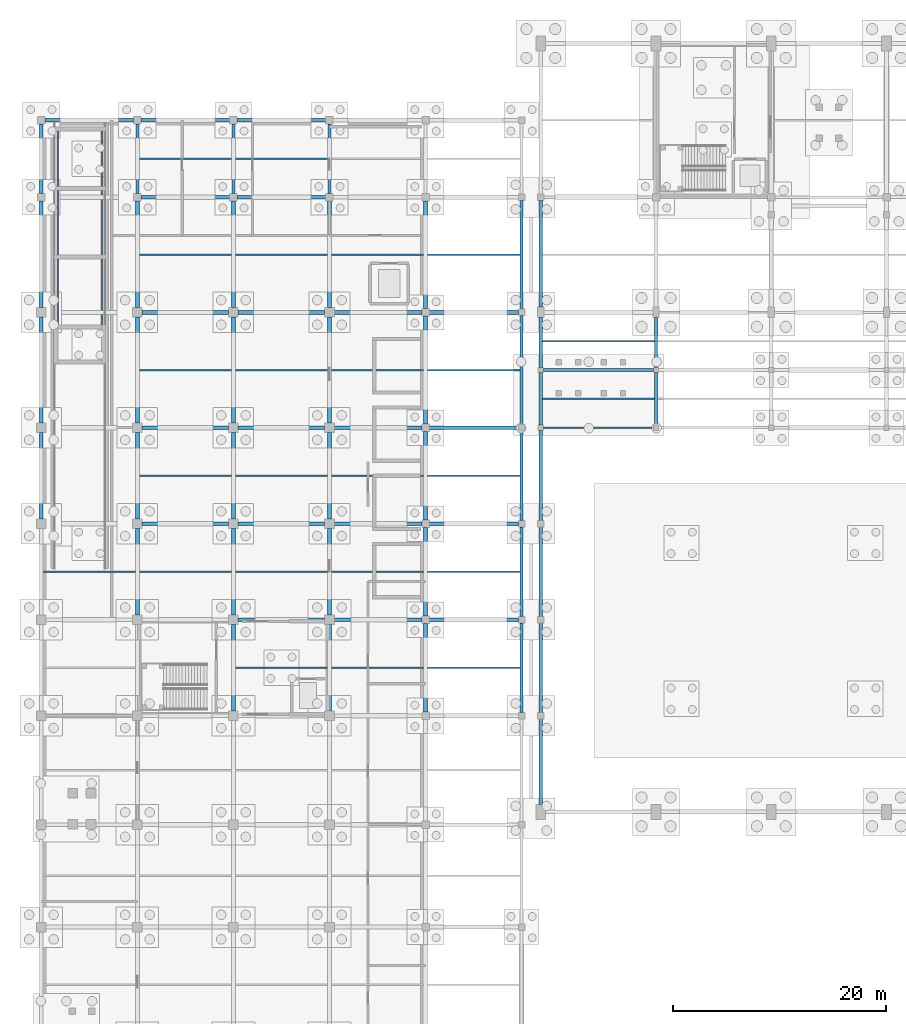
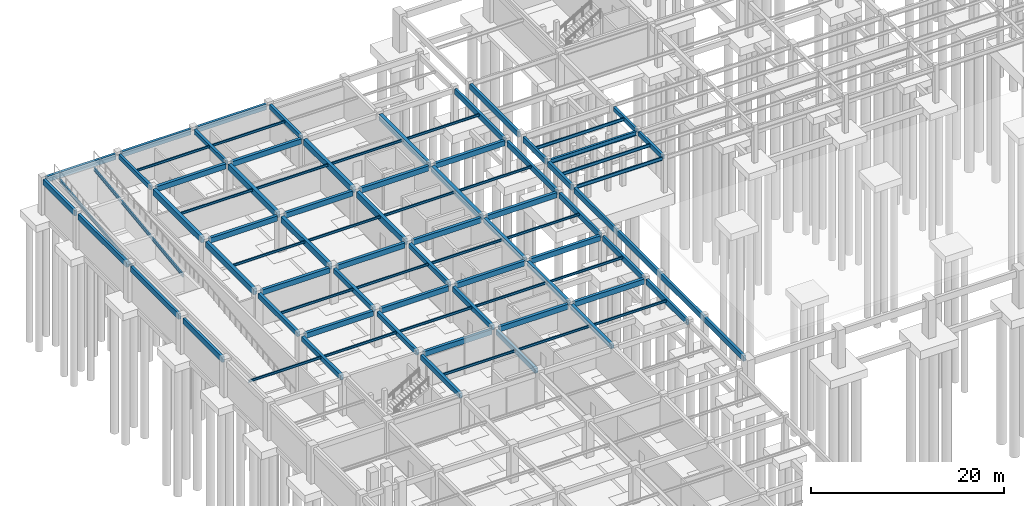
# One storey, part 16 of 33: 85 beams.
"""IFC4 building model written with IfcOpenShell, lengths in metres."""

from ifc_helpers import new_model, si_unit, direction, frame, origin, origin_2d, place, context, subcontext, project, spatial, rectangle, i_section, extrude, material, material_profile, profile_set, type_object, element, save


model = new_model("IFC4")

# Units and contexts
model_context = context("Model", 3, precision=1e-05, world=origin(), true_north=direction((0.0, 1.0)))
body_context = subcontext(model_context, "Body", "Model", "MODEL_VIEW")
ifc_project = project(units=[si_unit("LENGTHUNIT", "METRE"), si_unit("AREAUNIT", "SQUARE_METRE"), si_unit("VOLUMEUNIT", "CUBIC_METRE"), si_unit("PLANEANGLEUNIT", "RADIAN"), si_unit("MASSUNIT", "GRAM", prefix="KILO")], contexts=[model_context])

# Site, building, storey
site_placement = place(None, origin())
site = spatial("IfcSite", under=ifc_project, at=site_placement, CompositionType="ELEMENT")
building_placement = place(site_placement, origin())
building = spatial("IfcBuilding", under=site, at=building_placement, Name="Suirenkawa Promenade Aquatics Centre", CompositionType="ELEMENT")
storey_placement = place(building_placement, frame((0.0, 0.0, -4.800048828125)))
storey = spatial("IfcBuildingStorey", under=building, at=storey_placement, Name="B1", CompositionType="ELEMENT", Elevation=-4.800048828125)

# Beams
ifc_material_1 = material(Name="Steel IS 2062 E350 (Grade 350)", Category="steel")
ifc_material_profile_1 = material_profile(ifc_material_1, i_section(OverallWidth=0.139892578125, OverallDepth=0.300048828125, WebThickness=0.008056640625, FlangeThickness=0.012939453125, at=origin_2d()), Name="ISMB 300", Category="steel")
ifc_profile_set_1 = profile_set([ifc_material_profile_1], Name="Steel IS 2062 E350 (Grade 350)")
beam_type_1 = type_object("IfcBeamType", Name="BT-JOIST-ISMB300", PredefinedType="JOIST", material=ifc_profile_set_1)
beam_1_placement = place(storey_placement, frame((0.14404296875, 72.89990234375, 4.34814453125), z_axis=(1.0, 0.0, 0.0), x_axis=(0.0, 1.0, 0.0)))
element("IfcBeam", 1, at=beam_1_placement, inside=storey, type_object=beam_type_1, Name="Secondary floor joist JS-02 BM-0152", PredefinedType="JOIST", context=body_context, shape_type="SweptSolid", body=[
    extrude(i_section(OverallWidth=0.139892578125, OverallDepth=0.300048828125, WebThickness=0.008056640625, FlangeThickness=0.012939453125, at=origin_2d()), origin(), (0.0, 0.0, 1.0), 8.68701171875),
])
for number, where, z_axis, x_axis, name in (
    (2, (9.1689453125, 72.89990234375, 4.34814453125), (1.0, 0.0, 0.0), (0.0, 1.0, 0.0), "Secondary floor joist JS-02 BM-0158"),
    (3, (9.1689453125, 81.89990234375, 4.34814453125), (1.0, 0.0, 0.0), (0.0, 1.0, 0.0), "Secondary floor joist JS-02 BM-0159"),
):
    element("IfcBeam", number, at=place(storey_placement, frame(where, z_axis=z_axis, x_axis=x_axis)), inside=storey, type_object=beam_type_1, Name=name, PredefinedType="JOIST", context=body_context, shape_type="SweptSolid", body=[
        extrude(i_section(OverallWidth=0.139892578125, OverallDepth=0.300048828125, WebThickness=0.008056640625, FlangeThickness=0.012939453125, at=origin_2d()), origin(), (0.0, 0.0, 1.0), 8.662109375),
    ])
for number, where, z_axis, x_axis, name in (
    (4, (9.194091796875, 91.800048828125, 4.34814453125), (1.0, 0.0, 0.0), (0.0, 1.0, 0.0), "Secondary floor joist JS-02 BM-0160"),
    (5, (9.194091796875, 102.60009765625, 4.34814453125), (1.0, 0.0, 0.0), (0.0, 1.0, 0.0), "Secondary floor joist JS-02 BM-0161"),
):
    element("IfcBeam", number, at=place(storey_placement, frame(where, z_axis=z_axis, x_axis=x_axis)), inside=storey, type_object=beam_type_1, Name=name, PredefinedType="JOIST", context=body_context, shape_type="SweptSolid", body=[
        extrude(i_section(OverallWidth=0.139892578125, OverallDepth=0.300048828125, WebThickness=0.008056640625, FlangeThickness=0.012939453125, at=origin_2d()), origin(), (0.0, 0.0, 1.0), 8.61181640625),
    ])
beam_2_placement = place(storey_placement, frame((9.14404296875, 111.60009765625, 4.34814453125), z_axis=(1.0, 0.0, 0.0), x_axis=(0.0, 1.0, 0.0)))
element("IfcBeam", 6, at=beam_2_placement, inside=storey, type_object=beam_type_1, Name="Secondary floor joist JS-02 BM-0162", PredefinedType="JOIST", context=body_context, shape_type="SweptSolid", body=[
    extrude(i_section(OverallWidth=0.139892578125, OverallDepth=0.300048828125, WebThickness=0.008056640625, FlangeThickness=0.012939453125, at=origin_2d()), origin(), (0.0, 0.0, 1.0), 8.7119140625),
])
for number, where, z_axis, x_axis, name in (
    (7, (18.1689453125, 63.89990234375, 4.34814453125), (1.0, 0.0, 0.0), (0.0, 1.0, 0.0), "Secondary floor joist JS-02 BM-0169"),
    (8, (18.1689453125, 72.89990234375, 4.34814453125), (1.0, 0.0, 0.0), (0.0, 1.0, 0.0), "Secondary floor joist JS-02 BM-0170"),
    (9, (18.1689453125, 81.89990234375, 4.34814453125), (1.0, 0.0, 0.0), (0.0, 1.0, 0.0), "Secondary floor joist JS-02 BM-0171"),
):
    element("IfcBeam", number, at=place(storey_placement, frame(where, z_axis=z_axis, x_axis=x_axis)), inside=storey, type_object=beam_type_1, Name=name, PredefinedType="JOIST", context=body_context, shape_type="SweptSolid", body=[
        extrude(i_section(OverallWidth=0.139892578125, OverallDepth=0.300048828125, WebThickness=0.008056640625, FlangeThickness=0.012939453125, at=origin_2d()), origin(), (0.0, 0.0, 1.0), 8.662109375),
    ])
for number, where, z_axis, x_axis, name in (
    (10, (18.194091796875, 91.800048828125, 4.34814453125), (1.0, 0.0, 0.0), (0.0, 1.0, 0.0), "Secondary floor joist JS-02 BM-0172"),
    (11, (18.194091796875, 102.60009765625, 4.34814453125), (1.0, 0.0, 0.0), (0.0, 1.0, 0.0), "Secondary floor joist JS-02 BM-0173"),
):
    element("IfcBeam", number, at=place(storey_placement, frame(where, z_axis=z_axis, x_axis=x_axis)), inside=storey, type_object=beam_type_1, Name=name, PredefinedType="JOIST", context=body_context, shape_type="SweptSolid", body=[
        extrude(i_section(OverallWidth=0.139892578125, OverallDepth=0.300048828125, WebThickness=0.008056640625, FlangeThickness=0.012939453125, at=origin_2d()), origin(), (0.0, 0.0, 1.0), 8.61181640625),
    ])
beam_3_placement = place(storey_placement, frame((18.14404296875, 111.60009765625, 4.34814453125), z_axis=(1.0, 0.0, 0.0), x_axis=(0.0, 1.0, 0.0)))
element("IfcBeam", 12, at=beam_3_placement, inside=storey, type_object=beam_type_1, Name="Secondary floor joist JS-02 BM-0174", PredefinedType="JOIST", context=body_context, shape_type="SweptSolid", body=[
    extrude(i_section(OverallWidth=0.139892578125, OverallDepth=0.300048828125, WebThickness=0.008056640625, FlangeThickness=0.012939453125, at=origin_2d()), origin(), (0.0, 0.0, 1.0), 8.7119140625),
])
for number, where, z_axis, x_axis, name in (
    (13, (27.1689453125, 63.89990234375, 4.34814453125), (1.0, 0.0, 0.0), (0.0, 1.0, 0.0), "Secondary floor joist JS-02 BM-0181"),
    (14, (27.1689453125, 72.89990234375, 4.34814453125), (1.0, 0.0, 0.0), (0.0, 1.0, 0.0), "Secondary floor joist JS-02 BM-0182"),
    (15, (27.1689453125, 81.89990234375, 4.34814453125), (1.0, 0.0, 0.0), (0.0, 1.0, 0.0), "Secondary floor joist JS-02 BM-0183"),
):
    element("IfcBeam", number, at=place(storey_placement, frame(where, z_axis=z_axis, x_axis=x_axis)), inside=storey, type_object=beam_type_1, Name=name, PredefinedType="JOIST", context=body_context, shape_type="SweptSolid", body=[
        extrude(i_section(OverallWidth=0.139892578125, OverallDepth=0.300048828125, WebThickness=0.008056640625, FlangeThickness=0.012939453125, at=origin_2d()), origin(), (0.0, 0.0, 1.0), 8.662109375),
    ])
for number, where, z_axis, x_axis, name in (
    (16, (27.194091796875, 91.800048828125, 4.34814453125), (1.0, 0.0, 0.0), (0.0, 1.0, 0.0), "Secondary floor joist JS-02 BM-0184"),
    (17, (27.194091796875, 102.60009765625, 4.34814453125), (1.0, 0.0, 0.0), (0.0, 1.0, 0.0), "Secondary floor joist JS-02 BM-0185"),
):
    element("IfcBeam", number, at=place(storey_placement, frame(where, z_axis=z_axis, x_axis=x_axis)), inside=storey, type_object=beam_type_1, Name=name, PredefinedType="JOIST", context=body_context, shape_type="SweptSolid", body=[
        extrude(i_section(OverallWidth=0.139892578125, OverallDepth=0.300048828125, WebThickness=0.008056640625, FlangeThickness=0.012939453125, at=origin_2d()), origin(), (0.0, 0.0, 1.0), 8.61181640625),
    ])
for number, where, z_axis, x_axis, name in (
    (18, (36.1689453125, 63.89990234375, 4.34814453125), (1.0, 0.0, 0.0), (0.0, 1.0, 0.0), "Secondary floor joist JS-02 BM-0193"),
    (19, (36.1689453125, 72.89990234375, 4.34814453125), (1.0, 0.0, 0.0), (0.0, 1.0, 0.0), "Secondary floor joist JS-02 BM-0194"),
    (20, (36.1689453125, 81.89990234375, 4.34814453125), (1.0, 0.0, 0.0), (0.0, 1.0, 0.0), "Secondary floor joist JS-02 BM-0195"),
):
    element("IfcBeam", number, at=place(storey_placement, frame(where, z_axis=z_axis, x_axis=x_axis)), inside=storey, type_object=beam_type_1, Name=name, PredefinedType="JOIST", context=body_context, shape_type="SweptSolid", body=[
        extrude(i_section(OverallWidth=0.139892578125, OverallDepth=0.300048828125, WebThickness=0.008056640625, FlangeThickness=0.012939453125, at=origin_2d()), origin(), (0.0, 0.0, 1.0), 8.68701171875),
    ])
for number, where, z_axis, x_axis, name in (
    (21, (36.194091796875, 91.800048828125, 4.34814453125), (1.0, 0.0, 0.0), (0.0, 1.0, 0.0), "Secondary floor joist JS-02 BM-0196"),
    (22, (36.194091796875, 102.60009765625, 4.34814453125), (1.0, 0.0, 0.0), (0.0, 1.0, 0.0), "Secondary floor joist JS-02 BM-0197"),
):
    element("IfcBeam", number, at=place(storey_placement, frame(where, z_axis=z_axis, x_axis=x_axis)), inside=storey, type_object=beam_type_1, Name=name, PredefinedType="JOIST", context=body_context, shape_type="SweptSolid", body=[
        extrude(i_section(OverallWidth=0.139892578125, OverallDepth=0.300048828125, WebThickness=0.008056640625, FlangeThickness=0.012939453125, at=origin_2d()), origin(), (0.0, 0.0, 1.0), 8.661865234375),
    ])
ifc_material_profile_2 = material_profile(ifc_material_1, i_section(OverallWidth=0.139892578125, OverallDepth=0.39990234375, WebThickness=0.009033203125, FlangeThickness=0.01611328125, at=origin_2d()), Name="ISMB 400", Category="steel")
ifc_profile_set_2 = profile_set([ifc_material_profile_2], Name="Steel IS 2062 E350 (Grade 350)")
beam_type_2 = type_object("IfcBeamType", Name="BT-JOIST-ISMB400", PredefinedType="JOIST", material=ifc_profile_set_2)
for number, where, z_axis, x_axis, name in (
    (23, (46.944091796875, 89.10009765625, 4.298095703125), (1.0, 0.0, 0.0), (0.0, 1.0, 0.0), "Secondary floor joist JS-04 BM-1016"),
    (24, (46.944091796875, 94.5, 4.298095703125), (1.0, 0.0, 0.0), (0.0, 1.0, 0.0), "Secondary floor joist JS-04 BM-1017"),
):
    element("IfcBeam", number, at=place(storey_placement, frame(where, z_axis=z_axis, x_axis=x_axis)), inside=storey, type_object=beam_type_2, Name=name, PredefinedType="JOIST", context=body_context, shape_type="SweptSolid", body=[
        extrude(i_section(OverallWidth=0.139892578125, OverallDepth=0.39990234375, WebThickness=0.009033203125, FlangeThickness=0.01611328125, at=origin_2d()), origin(), (0.0, 0.0, 1.0), 10.511962890625),
    ])
ifc_material_2 = material(Name="Concrete M35", Category="concrete")
ifc_material_profile_3 = material_profile(ifc_material_2, rectangle(XDim=0.300048828125, YDim=0.550048828125, at=origin_2d()), Name="RC BM 300x550", Category="concrete")
ifc_profile_set_3 = profile_set([ifc_material_profile_3], Name="Concrete M35")
beam_type_3 = type_object("IfcBeamType", Name="BT-RC-300x550", PredefinedType="BEAM", material=ifc_profile_set_3)
for number, where, z_axis, x_axis, name in (
    (25, (9.0, 108.343994140625, 4.22509765625), (0.0, 1.0, 0.0), (-1.0, 0.0, 0.0), "Floor beam BM-01 BM-0092"),
    (26, (18.0, 108.343994140625, 4.22509765625), (0.0, 1.0, 0.0), (-1.0, 0.0, 0.0), "Floor beam BM-01 BM-0105"),
    (27, (27.0, 108.343994140625, 4.22509765625), (0.0, 1.0, 0.0), (-1.0, 0.0, 0.0), "Floor beam BM-01 BM-0118"),
):
    element("IfcBeam", number, at=place(storey_placement, frame(where, z_axis=z_axis, x_axis=x_axis)), inside=storey, type_object=beam_type_3, Name=name, PredefinedType="BEAM", context=body_context, shape_type="SweptSolid", body=[
        extrude(rectangle(XDim=0.300048828125, YDim=0.550048828125, at=origin_2d()), origin(), (0.0, 0.0, 1.0), 6.511962890625),
    ])
beam_4_placement = place(storey_placement, frame((57.60009765625, 86.64404296875, 4.22509765625), z_axis=(0.0, 1.0, 0.0), x_axis=(-1.0, 0.0, 0.0)))
element("IfcBeam", 28, at=beam_4_placement, inside=storey, type_object=beam_type_3, Name="Floor beam BM-01 BM-0973", PredefinedType="BEAM", context=body_context, shape_type="SweptSolid", body=[
    extrude(rectangle(XDim=0.300048828125, YDim=0.550048828125, at=origin_2d()), origin(), (0.0, 0.0, 1.0), 4.911865234375),
])
beam_5_placement = place(storey_placement, frame((57.60009765625, 92.0439453125, 4.22509765625), z_axis=(0.0, 1.0, 0.0), x_axis=(-1.0, 0.0, 0.0)))
element("IfcBeam", 29, at=beam_5_placement, inside=storey, type_object=beam_type_3, Name="Floor beam BM-01 BM-0974", PredefinedType="BEAM", context=body_context, shape_type="SweptSolid", body=[
    extrude(rectangle(XDim=0.300048828125, YDim=0.550048828125, at=origin_2d()), origin(), (0.0, 0.0, 1.0), 4.662109375),
])
ifc_material_profile_4 = material_profile(ifc_material_2, rectangle(XDim=0.35009765625, YDim=0.60009765625, at=origin_2d()), Name="RC BM 350x600", Category="concrete")
ifc_profile_set_4 = profile_set([ifc_material_profile_4], Name="Concrete M35")
beam_type_4 = type_object("IfcBeamType", Name="BT-RC-350x600", PredefinedType="BEAM", material=ifc_profile_set_4)
for number, where, z_axis, x_axis, name in (
    (30, (9.0, 68.843994140625, 4.199951171875), (0.0, 1.0, 0.0), (-1.0, 0.0, 0.0), "Floor beam BM-02 BM-0088"),
    (31, (9.0, 77.843994140625, 4.199951171875), (0.0, 1.0, 0.0), (-1.0, 0.0, 0.0), "Floor beam BM-02 BM-0089"),
    (32, (18.0, 59.843994140625, 4.199951171875), (0.0, 1.0, 0.0), (-1.0, 0.0, 0.0), "Floor beam BM-02 BM-0100"),
    (33, (18.0, 68.843994140625, 4.199951171875), (0.0, 1.0, 0.0), (-1.0, 0.0, 0.0), "Floor beam BM-02 BM-0101"),
    (34, (18.0, 77.843994140625, 4.199951171875), (0.0, 1.0, 0.0), (-1.0, 0.0, 0.0), "Floor beam BM-02 BM-0102"),
    (35, (27.0, 59.843994140625, 4.199951171875), (0.0, 1.0, 0.0), (-1.0, 0.0, 0.0), "Floor beam BM-02 BM-0113"),
    (36, (27.0, 68.843994140625, 4.199951171875), (0.0, 1.0, 0.0), (-1.0, 0.0, 0.0), "Floor beam BM-02 BM-0114"),
    (37, (27.0, 77.843994140625, 4.199951171875), (0.0, 1.0, 0.0), (-1.0, 0.0, 0.0), "Floor beam BM-02 BM-0115"),
):
    element("IfcBeam", number, at=place(storey_placement, frame(where, z_axis=z_axis, x_axis=x_axis)), inside=storey, type_object=beam_type_4, Name=name, PredefinedType="BEAM", context=body_context, shape_type="SweptSolid", body=[
        extrude(rectangle(XDim=0.35009765625, YDim=0.60009765625, at=origin_2d()), origin(), (0.0, 0.0, 1.0), 8.112060546875),
    ])
for number, where, z_axis, x_axis, name in (
    (38, (36.0, 59.743896484375, 4.199951171875), (0.0, 1.0, 0.0), (-1.0, 0.0, 0.0), "Floor beam BM-02 BM-0126"),
    (39, (36.0, 68.743896484375, 4.199951171875), (0.0, 1.0, 0.0), (-1.0, 0.0, 0.0), "Floor beam BM-02 BM-0127"),
    (40, (36.0, 77.743896484375, 4.199951171875), (0.0, 1.0, 0.0), (-1.0, 0.0, 0.0), "Floor beam BM-02 BM-0128"),
):
    element("IfcBeam", number, at=place(storey_placement, frame(where, z_axis=z_axis, x_axis=x_axis)), inside=storey, type_object=beam_type_4, Name=name, PredefinedType="BEAM", context=body_context, shape_type="SweptSolid", body=[
        extrude(rectangle(XDim=0.35009765625, YDim=0.60009765625, at=origin_2d()), origin(), (0.0, 0.0, 1.0), 8.31201171875),
    ])
ifc_material_profile_5 = material_profile(ifc_material_2, rectangle(XDim=0.35009765625, YDim=0.64990234375, at=origin_2d()), Name="RC BM 350x650", Category="concrete")
ifc_profile_set_5 = profile_set([ifc_material_profile_5], Name="Concrete M35")
beam_type_5 = type_object("IfcBeamType", Name="BT-RC-350x650", PredefinedType="BEAM", material=ifc_profile_set_5)
beam_6_placement = place(storey_placement, frame((18.444091796875, 68.39990234375, 4.175048828125), z_axis=(1.0, 0.0, 0.0), x_axis=(0.0, 1.0, 0.0)))
element("IfcBeam", 41, at=beam_6_placement, inside=storey, type_object=beam_type_5, Name="Floor beam BM-03 BM-0043", PredefinedType="BEAM", context=body_context, shape_type="SweptSolid", body=[
    extrude(rectangle(XDim=0.35009765625, YDim=0.64990234375, at=origin_2d()), origin(), (0.0, 0.0, 1.0), 8.11181640625),
])
beam_7_placement = place(storey_placement, frame((27.444091796875, 68.39990234375, 4.175048828125), z_axis=(1.0, 0.0, 0.0), x_axis=(0.0, 1.0, 0.0)))
element("IfcBeam", 42, at=beam_7_placement, inside=storey, type_object=beam_type_5, Name="Floor beam BM-03 BM-0044", PredefinedType="BEAM", context=body_context, shape_type="SweptSolid", body=[
    extrude(rectangle(XDim=0.35009765625, YDim=0.64990234375, at=origin_2d()), origin(), (0.0, 0.0, 1.0), 8.2119140625),
])
beam_8_placement = place(storey_placement, frame((36.343994140625, 68.39990234375, 4.175048828125), z_axis=(1.0, 0.0, 0.0), x_axis=(0.0, 1.0, 0.0)))
element("IfcBeam", 43, at=beam_8_placement, inside=storey, type_object=beam_type_5, Name="Floor beam BM-03 BM-0045", PredefinedType="BEAM", context=body_context, shape_type="SweptSolid", body=[
    extrude(rectangle(XDim=0.35009765625, YDim=0.64990234375, at=origin_2d()), origin(), (0.0, 0.0, 1.0), 8.362060546875),
])
for number, where, z_axis, x_axis, name in (
    (44, (9.444091796875, 77.39990234375, 4.175048828125), (1.0, 0.0, 0.0), (0.0, 1.0, 0.0), "Floor beam BM-03 BM-0046"),
    (45, (18.444091796875, 77.39990234375, 4.175048828125), (1.0, 0.0, 0.0), (0.0, 1.0, 0.0), "Floor beam BM-03 BM-0047"),
):
    element("IfcBeam", number, at=place(storey_placement, frame(where, z_axis=z_axis, x_axis=x_axis)), inside=storey, type_object=beam_type_5, Name=name, PredefinedType="BEAM", context=body_context, shape_type="SweptSolid", body=[
        extrude(rectangle(XDim=0.35009765625, YDim=0.64990234375, at=origin_2d()), origin(), (0.0, 0.0, 1.0), 8.11181640625),
    ])
beam_9_placement = place(storey_placement, frame((27.444091796875, 77.39990234375, 4.175048828125), z_axis=(1.0, 0.0, 0.0), x_axis=(0.0, 1.0, 0.0)))
element("IfcBeam", 46, at=beam_9_placement, inside=storey, type_object=beam_type_5, Name="Floor beam BM-03 BM-0048", PredefinedType="BEAM", context=body_context, shape_type="SweptSolid", body=[
    extrude(rectangle(XDim=0.35009765625, YDim=0.64990234375, at=origin_2d()), origin(), (0.0, 0.0, 1.0), 8.2119140625),
])
beam_10_placement = place(storey_placement, frame((36.343994140625, 77.39990234375, 4.175048828125), z_axis=(1.0, 0.0, 0.0), x_axis=(0.0, 1.0, 0.0)))
element("IfcBeam", 47, at=beam_10_placement, inside=storey, type_object=beam_type_5, Name="Floor beam BM-03 BM-0049", PredefinedType="BEAM", context=body_context, shape_type="SweptSolid", body=[
    extrude(rectangle(XDim=0.35009765625, YDim=0.64990234375, at=origin_2d()), origin(), (0.0, 0.0, 1.0), 8.362060546875),
])
for number, where, z_axis, x_axis, name in (
    (48, (9.444091796875, 86.39990234375, 4.175048828125), (1.0, 0.0, 0.0), (0.0, 1.0, 0.0), "Floor beam BM-03 BM-0050"),
    (49, (18.444091796875, 86.39990234375, 4.175048828125), (1.0, 0.0, 0.0), (0.0, 1.0, 0.0), "Floor beam BM-03 BM-0051"),
):
    element("IfcBeam", number, at=place(storey_placement, frame(where, z_axis=z_axis, x_axis=x_axis)), inside=storey, type_object=beam_type_5, Name=name, PredefinedType="BEAM", context=body_context, shape_type="SweptSolid", body=[
        extrude(rectangle(XDim=0.35009765625, YDim=0.64990234375, at=origin_2d()), origin(), (0.0, 0.0, 1.0), 8.11181640625),
    ])
beam_11_placement = place(storey_placement, frame((27.444091796875, 86.39990234375, 4.175048828125), z_axis=(1.0, 0.0, 0.0), x_axis=(0.0, 1.0, 0.0)))
element("IfcBeam", 50, at=beam_11_placement, inside=storey, type_object=beam_type_5, Name="Floor beam BM-03 BM-0052", PredefinedType="BEAM", context=body_context, shape_type="SweptSolid", body=[
    extrude(rectangle(XDim=0.35009765625, YDim=0.64990234375, at=origin_2d()), origin(), (0.0, 0.0, 1.0), 8.2119140625),
])
beam_12_placement = place(storey_placement, frame((36.343994140625, 86.39990234375, 4.175048828125), z_axis=(1.0, 0.0, 0.0), x_axis=(0.0, 1.0, 0.0)))
element("IfcBeam", 51, at=beam_12_placement, inside=storey, type_object=beam_type_5, Name="Floor beam BM-03 BM-0053", PredefinedType="BEAM", context=body_context, shape_type="SweptSolid", body=[
    extrude(rectangle(XDim=0.35009765625, YDim=0.64990234375, at=origin_2d()), origin(), (0.0, 0.0, 1.0), 8.362060546875),
])
for number, where, z_axis, x_axis, name in (
    (52, (9.444091796875, 97.199951171875, 4.175048828125), (1.0, 0.0, 0.0), (0.0, 1.0, 0.0), "Floor beam BM-03 BM-0054"),
    (53, (18.444091796875, 97.199951171875, 4.175048828125), (1.0, 0.0, 0.0), (0.0, 1.0, 0.0), "Floor beam BM-03 BM-0055"),
):
    element("IfcBeam", number, at=place(storey_placement, frame(where, z_axis=z_axis, x_axis=x_axis)), inside=storey, type_object=beam_type_5, Name=name, PredefinedType="BEAM", context=body_context, shape_type="SweptSolid", body=[
        extrude(rectangle(XDim=0.35009765625, YDim=0.64990234375, at=origin_2d()), origin(), (0.0, 0.0, 1.0), 8.11181640625),
    ])
beam_13_placement = place(storey_placement, frame((27.444091796875, 97.199951171875, 4.175048828125), z_axis=(1.0, 0.0, 0.0), x_axis=(0.0, 1.0, 0.0)))
element("IfcBeam", 54, at=beam_13_placement, inside=storey, type_object=beam_type_5, Name="Floor beam BM-03 BM-0056", PredefinedType="BEAM", context=body_context, shape_type="SweptSolid", body=[
    extrude(rectangle(XDim=0.35009765625, YDim=0.64990234375, at=origin_2d()), origin(), (0.0, 0.0, 1.0), 8.2119140625),
])
beam_14_placement = place(storey_placement, frame((36.343994140625, 97.199951171875, 4.175048828125), z_axis=(1.0, 0.0, 0.0), x_axis=(0.0, 1.0, 0.0)))
element("IfcBeam", 55, at=beam_14_placement, inside=storey, type_object=beam_type_5, Name="Floor beam BM-03 BM-0057", PredefinedType="BEAM", context=body_context, shape_type="SweptSolid", body=[
    extrude(rectangle(XDim=0.35009765625, YDim=0.64990234375, at=origin_2d()), origin(), (0.0, 0.0, 1.0), 8.362060546875),
])
for number, where, z_axis, x_axis, name in (
    (56, (9.343994140625, 108.0, 4.175048828125), (1.0, 0.0, 0.0), (0.0, 1.0, 0.0), "Floor beam BM-03 BM-0058"),
    (57, (18.343994140625, 108.0, 4.175048828125), (1.0, 0.0, 0.0), (0.0, 1.0, 0.0), "Floor beam BM-03 BM-0059"),
):
    element("IfcBeam", number, at=place(storey_placement, frame(where, z_axis=z_axis, x_axis=x_axis)), inside=storey, type_object=beam_type_5, Name=name, PredefinedType="BEAM", context=body_context, shape_type="SweptSolid", body=[
        extrude(rectangle(XDim=0.35009765625, YDim=0.64990234375, at=origin_2d()), origin(), (0.0, 0.0, 1.0), 8.31201171875),
    ])
ifc_material_3 = material(Name="Concrete M40", Category="concrete")
ifc_material_profile_6 = material_profile(ifc_material_3, rectangle(XDim=0.39990234375, YDim=0.75, at=origin_2d()), Name="RC BM 400x750", Category="concrete")
ifc_profile_set_6 = profile_set([ifc_material_profile_6], Name="Concrete M40")
beam_type_6 = type_object("IfcBeamType", Name="BT-RC-400x750", PredefinedType="BEAM", material=ifc_profile_set_6)
beam_15_placement = place(storey_placement, frame((9.0, 86.843994140625, 4.125), z_axis=(0.0, 1.0, 0.0), x_axis=(-1.0, 0.0, 0.0)))
element("IfcBeam", 58, at=beam_15_placement, inside=storey, type_object=beam_type_6, Name="Floor beam BM-05 BM-0090", PredefinedType="BEAM", context=body_context, shape_type="SweptSolid", body=[
    extrude(rectangle(XDim=0.39990234375, YDim=0.75, at=origin_2d()), origin(), (0.0, 0.0, 1.0), 9.912109375),
])
beam_16_placement = place(storey_placement, frame((9.0, 97.64404296875, 4.125), z_axis=(0.0, 1.0, 0.0), x_axis=(-1.0, 0.0, 0.0)))
element("IfcBeam", 59, at=beam_16_placement, inside=storey, type_object=beam_type_6, Name="Floor beam BM-05 BM-0091", PredefinedType="BEAM", context=body_context, shape_type="SweptSolid", body=[
    extrude(rectangle(XDim=0.39990234375, YDim=0.75, at=origin_2d()), origin(), (0.0, 0.0, 1.0), 10.011962890625),
])
beam_17_placement = place(storey_placement, frame((18.0, 86.843994140625, 4.125), z_axis=(0.0, 1.0, 0.0), x_axis=(-1.0, 0.0, 0.0)))
element("IfcBeam", 60, at=beam_17_placement, inside=storey, type_object=beam_type_6, Name="Floor beam BM-05 BM-0103", PredefinedType="BEAM", context=body_context, shape_type="SweptSolid", body=[
    extrude(rectangle(XDim=0.39990234375, YDim=0.75, at=origin_2d()), origin(), (0.0, 0.0, 1.0), 9.912109375),
])
beam_18_placement = place(storey_placement, frame((18.0, 97.64404296875, 4.125), z_axis=(0.0, 1.0, 0.0), x_axis=(-1.0, 0.0, 0.0)))
element("IfcBeam", 61, at=beam_18_placement, inside=storey, type_object=beam_type_6, Name="Floor beam BM-05 BM-0104", PredefinedType="BEAM", context=body_context, shape_type="SweptSolid", body=[
    extrude(rectangle(XDim=0.39990234375, YDim=0.75, at=origin_2d()), origin(), (0.0, 0.0, 1.0), 10.011962890625),
])
beam_19_placement = place(storey_placement, frame((27.0, 86.843994140625, 4.125), z_axis=(0.0, 1.0, 0.0), x_axis=(-1.0, 0.0, 0.0)))
element("IfcBeam", 62, at=beam_19_placement, inside=storey, type_object=beam_type_6, Name="Floor beam BM-05 BM-0116", PredefinedType="BEAM", context=body_context, shape_type="SweptSolid", body=[
    extrude(rectangle(XDim=0.39990234375, YDim=0.75, at=origin_2d()), origin(), (0.0, 0.0, 1.0), 9.912109375),
])
beam_20_placement = place(storey_placement, frame((27.0, 97.64404296875, 4.125), z_axis=(0.0, 1.0, 0.0), x_axis=(-1.0, 0.0, 0.0)))
element("IfcBeam", 63, at=beam_20_placement, inside=storey, type_object=beam_type_6, Name="Floor beam BM-05 BM-0117", PredefinedType="BEAM", context=body_context, shape_type="SweptSolid", body=[
    extrude(rectangle(XDim=0.39990234375, YDim=0.75, at=origin_2d()), origin(), (0.0, 0.0, 1.0), 10.011962890625),
])
for number, where, z_axis, x_axis, name in (
    (64, (36.0, 86.743896484375, 4.125), (0.0, 1.0, 0.0), (-1.0, 0.0, 0.0), "Floor beam BM-05 BM-0129"),
    (65, (36.0, 97.5439453125, 4.125), (0.0, 1.0, 0.0), (-1.0, 0.0, 0.0), "Floor beam BM-05 BM-0130"),
):
    element("IfcBeam", number, at=place(storey_placement, frame(where, z_axis=z_axis, x_axis=x_axis)), inside=storey, type_object=beam_type_6, Name=name, PredefinedType="BEAM", context=body_context, shape_type="SweptSolid", body=[
        extrude(rectangle(XDim=0.39990234375, YDim=0.75, at=origin_2d()), origin(), (0.0, 0.0, 1.0), 10.112060546875),
    ])
ifc_material_profile_7 = material_profile(ifc_material_3, rectangle(XDim=0.300048828125, YDim=0.699951171875, at=origin_2d()), Name="RC SPANDREL 300x700", Category="concrete")
ifc_profile_set_7 = profile_set([ifc_material_profile_7], Name="Concrete M40")
beam_type_7 = type_object("IfcBeamType", Name="BT-SPANDREL-300x700", PredefinedType="SPANDREL", material=ifc_profile_set_7)
for number, where, z_axis, x_axis, name in (
    (66, (0.343994140625, 115.199951171875, 4.150146484375), (1.0, 0.0, 0.0), (0.0, 1.0, 0.0), "Floor beam SP-01 BM-0062"),
    (67, (9.343994140625, 115.199951171875, 4.150146484375), (1.0, 0.0, 0.0), (0.0, 1.0, 0.0), "Floor beam SP-01 BM-0063"),
    (68, (18.343994140625, 115.199951171875, 4.150146484375), (1.0, 0.0, 0.0), (0.0, 1.0, 0.0), "Floor beam SP-01 BM-0064"),
):
    element("IfcBeam", number, at=place(storey_placement, frame(where, z_axis=z_axis, x_axis=x_axis)), inside=storey, type_object=beam_type_7, Name=name, PredefinedType="SPANDREL", context=body_context, shape_type="SweptSolid", body=[
        extrude(rectangle(XDim=0.300048828125, YDim=0.699951171875, at=origin_2d()), origin(), (0.0, 0.0, 1.0), 8.31201171875),
    ])
beam_21_placement = place(storey_placement, frame((0.0, 77.843994140625, 4.150146484375), z_axis=(0.0, 1.0, 0.0), x_axis=(-1.0, 0.0, 0.0)))
element("IfcBeam", 69, at=beam_21_placement, inside=storey, type_object=beam_type_7, Name="Floor beam SP-01 BM-0076", PredefinedType="SPANDREL", context=body_context, shape_type="SweptSolid", body=[
    extrude(rectangle(XDim=0.300048828125, YDim=0.699951171875, at=origin_2d()), origin(), (0.0, 0.0, 1.0), 8.112060546875),
])
beam_22_placement = place(storey_placement, frame((0.0, 86.843994140625, 4.150146484375), z_axis=(0.0, 1.0, 0.0), x_axis=(-1.0, 0.0, 0.0)))
element("IfcBeam", 70, at=beam_22_placement, inside=storey, type_object=beam_type_7, Name="Floor beam SP-01 BM-0077", PredefinedType="SPANDREL", context=body_context, shape_type="SweptSolid", body=[
    extrude(rectangle(XDim=0.300048828125, YDim=0.699951171875, at=origin_2d()), origin(), (0.0, 0.0, 1.0), 9.912109375),
])
beam_23_placement = place(storey_placement, frame((0.0, 97.64404296875, 4.150146484375), z_axis=(0.0, 1.0, 0.0), x_axis=(-1.0, 0.0, 0.0)))
element("IfcBeam", 71, at=beam_23_placement, inside=storey, type_object=beam_type_7, Name="Floor beam SP-01 BM-0078", PredefinedType="SPANDREL", context=body_context, shape_type="SweptSolid", body=[
    extrude(rectangle(XDim=0.300048828125, YDim=0.699951171875, at=origin_2d()), origin(), (0.0, 0.0, 1.0), 10.011962890625),
])
beam_24_placement = place(storey_placement, frame((0.0, 108.343994140625, 4.150146484375), z_axis=(0.0, 1.0, 0.0), x_axis=(-1.0, 0.0, 0.0)))
element("IfcBeam", 72, at=beam_24_placement, inside=storey, type_object=beam_type_7, Name="Floor beam SP-01 BM-0079", PredefinedType="SPANDREL", context=body_context, shape_type="SweptSolid", body=[
    extrude(rectangle(XDim=0.300048828125, YDim=0.699951171875, at=origin_2d()), origin(), (0.0, 0.0, 1.0), 6.511962890625),
])
for number, where, z_axis, x_axis, name in (
    (73, (45.0, 59.694091796875, 4.150146484375), (0.0, 1.0, 0.0), (-1.0, 0.0, 0.0), "Floor beam SP-01 BM-0139"),
    (74, (45.0, 68.694091796875, 4.150146484375), (0.0, 1.0, 0.0), (-1.0, 0.0, 0.0), "Floor beam SP-01 BM-0140"),
    (75, (45.0, 77.694091796875, 4.150146484375), (0.0, 1.0, 0.0), (-1.0, 0.0, 0.0), "Floor beam SP-01 BM-0141"),
):
    element("IfcBeam", number, at=place(storey_placement, frame(where, z_axis=z_axis, x_axis=x_axis)), inside=storey, type_object=beam_type_7, Name=name, PredefinedType="SPANDREL", context=body_context, shape_type="SweptSolid", body=[
        extrude(rectangle(XDim=0.300048828125, YDim=0.699951171875, at=origin_2d()), origin(), (0.0, 0.0, 1.0), 8.411865234375),
    ])
beam_25_placement = place(storey_placement, frame((45.0, 86.694091796875, 4.150146484375), z_axis=(0.0, 1.0, 0.0), x_axis=(-1.0, 0.0, 0.0)))
element("IfcBeam", 76, at=beam_25_placement, inside=storey, type_object=beam_type_7, Name="Floor beam SP-01 BM-0142", PredefinedType="SPANDREL", context=body_context, shape_type="SweptSolid", body=[
    extrude(rectangle(XDim=0.300048828125, YDim=0.699951171875, at=origin_2d()), origin(), (0.0, 0.0, 1.0), 10.2119140625),
])
beam_26_placement = place(storey_placement, frame((45.0, 97.493896484375, 4.150146484375), z_axis=(0.0, 1.0, 0.0), x_axis=(-1.0, 0.0, 0.0)))
element("IfcBeam", 77, at=beam_26_placement, inside=storey, type_object=beam_type_7, Name="Floor beam SP-01 BM-0143", PredefinedType="SPANDREL", context=body_context, shape_type="SweptSolid", body=[
    extrude(rectangle(XDim=0.300048828125, YDim=0.699951171875, at=origin_2d()), origin(), (0.0, 0.0, 1.0), 10.212158203125),
])
beam_27_placement = place(storey_placement, frame((46.800048828125, 51.093994140625, 4.150146484375), z_axis=(0.0, 1.0, 0.0), x_axis=(-1.0, 0.0, 0.0)))
element("IfcBeam", 78, at=beam_27_placement, inside=storey, type_object=beam_type_7, Name="Floor beam SP-01 BM-0968", PredefinedType="SPANDREL", context=body_context, shape_type="SweptSolid", body=[
    extrude(rectangle(XDim=0.300048828125, YDim=0.699951171875, at=origin_2d()), origin(), (0.0, 0.0, 1.0), 35.06201171875),
])
beam_28_placement = place(storey_placement, frame((46.800048828125, 86.64404296875, 4.150146484375), z_axis=(0.0, 1.0, 0.0), x_axis=(-1.0, 0.0, 0.0)))
element("IfcBeam", 79, at=beam_28_placement, inside=storey, type_object=beam_type_7, Name="Floor beam SP-01 BM-0969", PredefinedType="SPANDREL", context=body_context, shape_type="SweptSolid", body=[
    extrude(rectangle(XDim=0.300048828125, YDim=0.699951171875, at=origin_2d()), origin(), (0.0, 0.0, 1.0), 4.911865234375),
])
beam_29_placement = place(storey_placement, frame((46.800048828125, 92.0439453125, 4.150146484375), z_axis=(0.0, 1.0, 0.0), x_axis=(-1.0, 0.0, 0.0)))
element("IfcBeam", 80, at=beam_29_placement, inside=storey, type_object=beam_type_7, Name="Floor beam SP-01 BM-0970", PredefinedType="SPANDREL", context=body_context, shape_type="SweptSolid", body=[
    extrude(rectangle(XDim=0.300048828125, YDim=0.699951171875, at=origin_2d()), origin(), (0.0, 0.0, 1.0), 4.662109375),
])
beam_30_placement = place(storey_placement, frame((46.800048828125, 97.694091796875, 4.150146484375), z_axis=(0.0, 1.0, 0.0), x_axis=(-1.0, 0.0, 0.0)))
element("IfcBeam", 81, at=beam_30_placement, inside=storey, type_object=beam_type_7, Name="Floor beam SP-01 BM-0971", PredefinedType="SPANDREL", context=body_context, shape_type="SweptSolid", body=[
    extrude(rectangle(XDim=0.300048828125, YDim=0.699951171875, at=origin_2d()), origin(), (0.0, 0.0, 1.0), 10.011962890625),
])
ifc_material_profile_8 = material_profile(ifc_material_1, i_section(OverallWidth=0.14990234375, OverallDepth=0.449951171875, WebThickness=0.009033203125, FlangeThickness=0.01708984375, at=origin_2d()), Name="ISMB 450", Category="steel")
ifc_profile_set_8 = profile_set([ifc_material_profile_8], Name="Steel IS 2062 E350 (Grade 350)")
beam_type_8 = type_object("IfcBeamType", Name="BT-STL-ISMB450", PredefinedType="BEAM", material=ifc_profile_set_8)
beam_31_placement = place(storey_placement, frame((47.0439453125, 86.39990234375, 4.275146484375), z_axis=(1.0, 0.0, 0.0), x_axis=(0.0, 1.0, 0.0)))
element("IfcBeam", 82, at=beam_31_placement, inside=storey, type_object=beam_type_8, Name="Floor beam BM-08 BM-0918", PredefinedType="BEAM", context=body_context, shape_type="SweptSolid", body=[
    extrude(i_section(OverallWidth=0.14990234375, OverallDepth=0.449951171875, WebThickness=0.009033203125, FlangeThickness=0.01708984375, at=origin_2d()), origin(), (0.0, 0.0, 1.0), 10.31201171875),
])
for number, where, z_axis, x_axis, name in (
    (83, (1.550048828125, 95.85009765625, 1.8349609375), (0.0, 0.992269033843, 0.124105457076), (-1.0, 0.0, 0.0), "Vehicle ramp raker beam BM-08 1"),
    (84, (5.64990234375, 95.85009765625, 1.8349609375), (0.0, 0.992269033843, 0.124105457076), (-1.0, 0.0, 0.0), "Vehicle ramp raker beam BM-08 2"),
):
    element("IfcBeam", number, at=place(storey_placement, frame(where, z_axis=z_axis, x_axis=x_axis)), inside=storey, type_object=beam_type_8, Name=name, PredefinedType="BEAM", context=body_context, shape_type="SweptSolid", body=[
        extrude(i_section(OverallWidth=0.14990234375, OverallDepth=0.449951171875, WebThickness=0.009033203125, FlangeThickness=0.01708984375, at=origin_2d()), origin(), (0.0, 0.0, 1.0), 18.6943359375),
    ])
ifc_material_profile_9 = material_profile(ifc_material_1, i_section(OverallWidth=0.25, OverallDepth=0.550048828125, WebThickness=0.010986328125, FlangeThickness=0.01806640625, at=origin_2d()), Name="ISWB 550", Category="steel")
ifc_profile_set_9 = profile_set([ifc_material_profile_9], Name="Steel IS 2062 E350 (Grade 350)")
beam_type_9 = type_object("IfcBeamType", Name="BT-STL-ISWB550", PredefinedType="BEAM", material=ifc_profile_set_9)
beam_32_placement = place(storey_placement, frame((47.0439453125, 91.800048828125, 4.22509765625), z_axis=(1.0, 0.0, 0.0), x_axis=(0.0, 1.0, 0.0)))
element("IfcBeam", 85, at=beam_32_placement, inside=storey, type_object=beam_type_9, Name="Floor beam BM-11 BM-0928", PredefinedType="BEAM", context=body_context, shape_type="SweptSolid", body=[
    extrude(i_section(OverallWidth=0.25, OverallDepth=0.550048828125, WebThickness=0.010986328125, FlangeThickness=0.01806640625, at=origin_2d()), origin(), (0.0, 0.0, 1.0), 10.31201171875),
])

save(model, "model.ifc")
